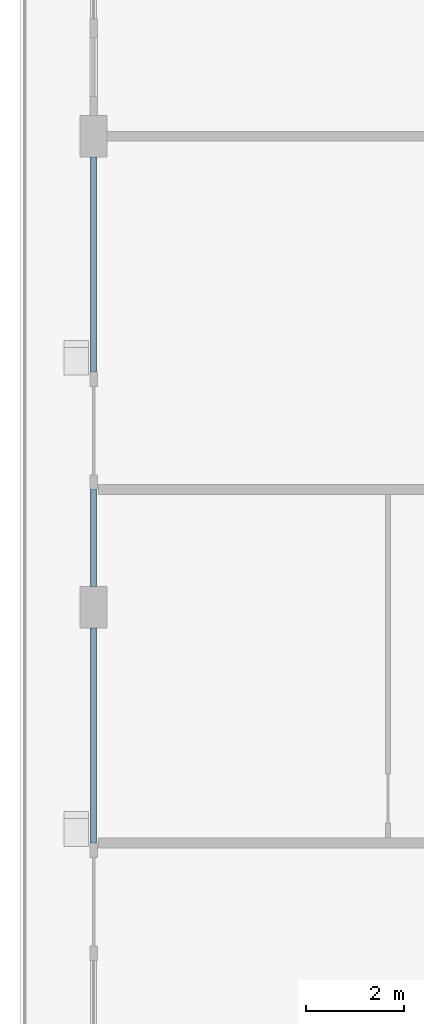
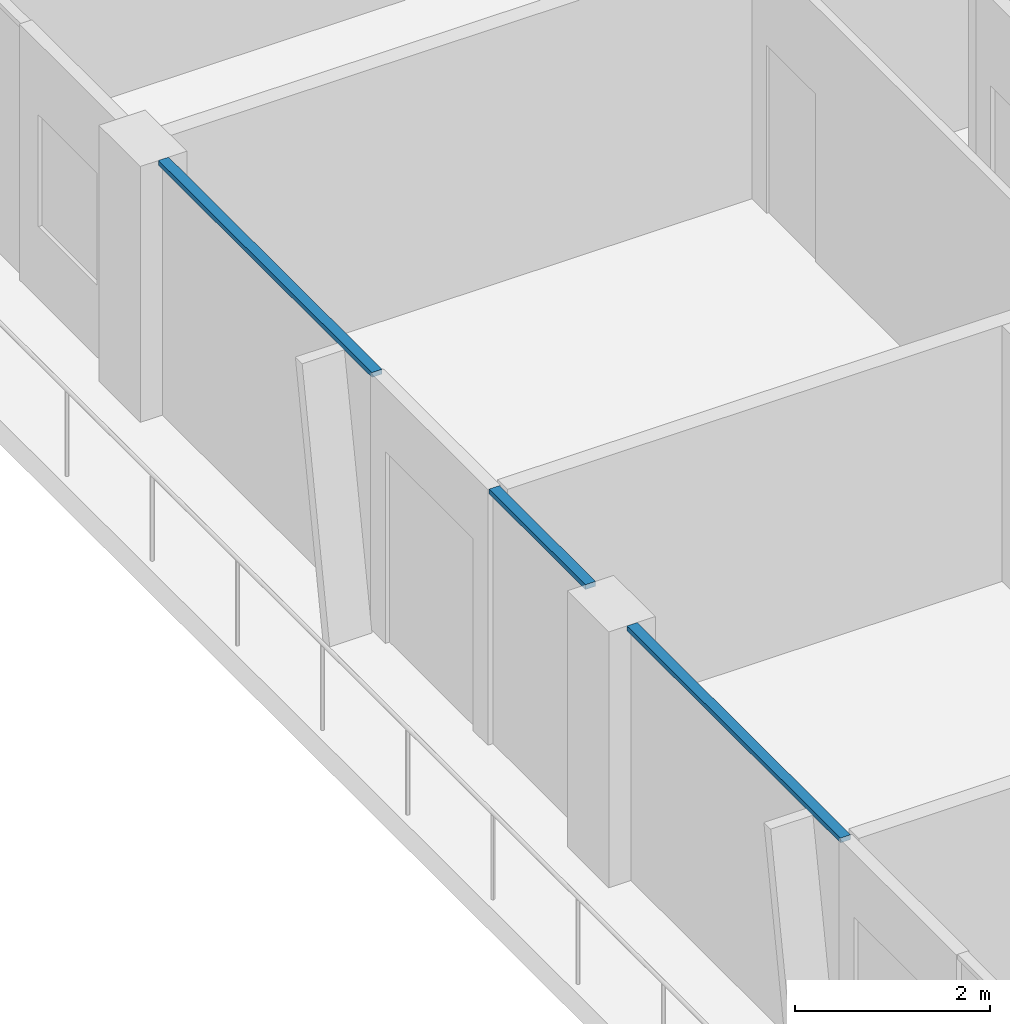
# One storey, part 3 of 22: 3 members, 2 elements without a shape of their own.
"""IFC4 building model written with IfcOpenShell, lengths in metres."""

from ifc_helpers import new_model, si_unit, direction, frame, origin, origin_2d, place, context, subcontext, project, spatial, rectangle, extrude, material, layer, layer_set, material_profile, profile_set, type_object, element, aggregate, save


model = new_model("IFC4")

# Units and contexts
model_context = context("Model", 3, precision=1e-05, world=origin(), true_north=direction((0.0, 1.0)))
body_context = subcontext(model_context, "Body", "Model", "MODEL_VIEW")
ifc_project = project(units=[si_unit("LENGTHUNIT", "METRE"), si_unit("AREAUNIT", "SQUARE_METRE"), si_unit("VOLUMEUNIT", "CUBIC_METRE"), si_unit("PLANEANGLEUNIT", "RADIAN"), si_unit("MASSUNIT", "GRAM", prefix="KILO")], contexts=[model_context])

# Site, building, storey
site_placement = place(None, origin())
site = spatial("IfcSite", under=ifc_project, at=site_placement, CompositionType="ELEMENT")
building_placement = place(site_placement, origin())
building = spatial("IfcBuilding", under=site, at=building_placement, Name="Madar Terraces", CompositionType="ELEMENT")
storey_placement = place(building_placement, frame((0.0, 0.0, 249.199951171875)))
storey = spatial("IfcBuildingStorey", under=building, at=storey_placement, Name="L65", CompositionType="ELEMENT", Elevation=249.199951171875)

# Curtain wall, members
ifc_material_1 = material(Name="Glass, ceramic frit dark grey, with black aluminium frame", Category="aluminium")
ifc_layer = layer(ifc_material_1, 0.199951171875)
ifc_layer_set = layer_set([ifc_layer], Name="Facade curtain wall, fritted glass")
curtain_wall_type = type_object("IfcCurtainWallType", Name="Facade curtain wall, fritted glass", PredefinedType="NOTDEFINED", material=ifc_layer_set)
curtain_wall_1_placement = place(storey_placement, origin())
curtain_wall_1 = element("IfcCurtainWall", 1, at=curtain_wall_1_placement, inside=storey, type_object=curtain_wall_type, Name="Outer skin curtain wall west bay 2", PredefinedType="NOTDEFINED")
ifc_material_2 = material(Name="Aluminium, black anodised", Category="aluminium")
ifc_material_profile = material_profile(ifc_material_2, rectangle(XDim=0.1201171875, YDim=0.06005859375, at=origin_2d()), Name="Facade transom 60x120")
ifc_profile_set = profile_set([ifc_material_profile], Name="Aluminium, black anodised")
member_type = type_object("IfcMemberType", Name="Facade transom 60x120", PredefinedType="USERDEFINED", material=ifc_profile_set)
member_1_placement = place(storey_placement, frame((0.0, 37.97509765625, 3.170166015625), z_axis=(0.0, -1.0, 0.0), x_axis=(1.0, 0.0, 0.0)))
member_1 = element("IfcMember", 2, at=member_1_placement, type_object=member_type, Name="Transom 1", ObjectType="TRANSOM", PredefinedType="USERDEFINED", context=body_context, shape_type="SweptSolid", body=[
    extrude(rectangle(XDim=0.1201171875, YDim=0.06005859375, at=origin_2d()), origin(), (0.0, 0.0, 1.0), 4.375),
])
member_2_placement = place(storey_placement, frame((0.0, 31.199951171875, 3.170166015625), z_axis=(0.0, -1.0, 0.0), x_axis=(1.0, 0.0, 0.0)))
member_2 = element("IfcMember", 3, at=member_2_placement, type_object=member_type, Name="Transom 2", ObjectType="TRANSOM", PredefinedType="USERDEFINED", context=body_context, shape_type="SweptSolid", body=[
    extrude(rectangle(XDim=0.1201171875, YDim=0.06005859375, at=origin_2d()), origin(), (0.0, 0.0, 1.0), 1.974853515625),
])
aggregate(curtain_wall_1, [member_1, member_2])

# Curtain wall, member
curtain_wall_2_placement = place(storey_placement, origin())
curtain_wall_2 = element("IfcCurtainWall", 4, at=curtain_wall_2_placement, inside=storey, type_object=curtain_wall_type, Name="Outer skin curtain wall west bay 3", PredefinedType="NOTDEFINED")
member_3_placement = place(storey_placement, frame((0.0, 28.375, 3.170166015625), z_axis=(0.0, -1.0, 0.0), x_axis=(1.0, 0.0, 0.0)))
member_3 = element("IfcMember", 5, at=member_3_placement, type_object=member_type, Name="Transom 1", ObjectType="TRANSOM", PredefinedType="USERDEFINED", context=body_context, shape_type="SweptSolid", body=[
    extrude(rectangle(XDim=0.1201171875, YDim=0.06005859375, at=origin_2d()), origin(), (0.0, 0.0, 1.0), 4.375),
])
aggregate(curtain_wall_2, [member_3])

save(model, "model.ifc")
